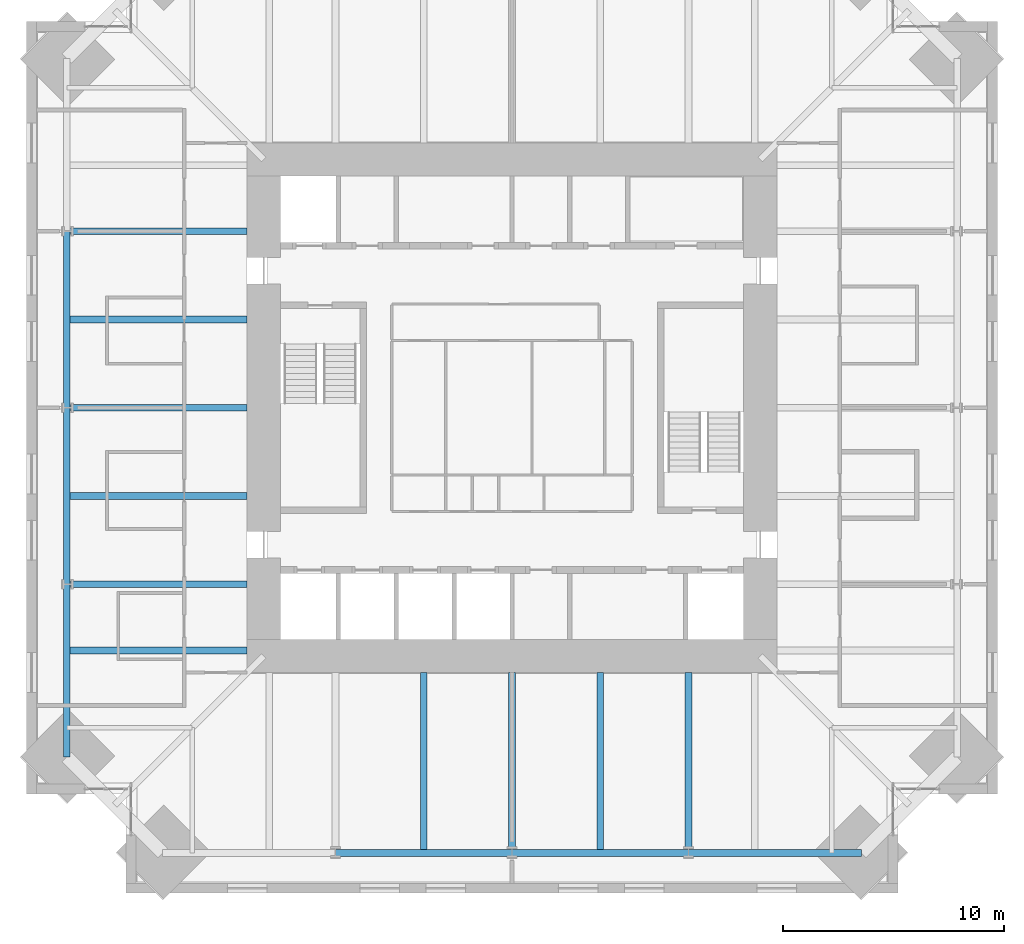
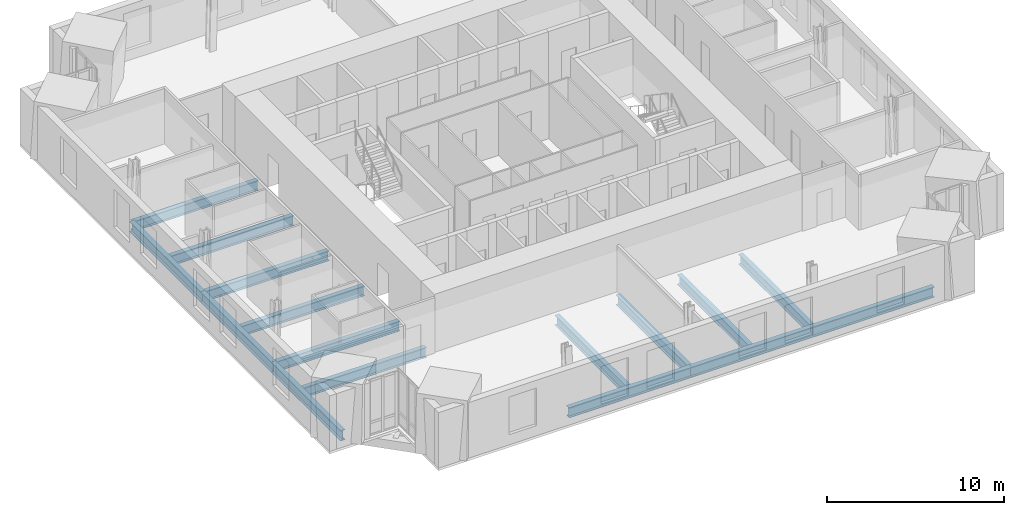
# One storey, part 3 of 16: 16 beams.
"""IFC4 building model written with IfcOpenShell, lengths in metres."""

from ifc_helpers import new_model, si_unit, direction, frame, origin, origin_2d, place, context, subcontext, project, spatial, i_section, extrude, material, material_profile, profile_set, type_object, element, save


model = new_model("IFC4")

# Units and contexts
model_context = context("Model", 3, precision=1e-05, world=origin(), true_north=direction((0.0, 1.0)))
body_context = subcontext(model_context, "Body", "Model", "MODEL_VIEW")
ifc_project = project(units=[si_unit("LENGTHUNIT", "METRE"), si_unit("AREAUNIT", "SQUARE_METRE"), si_unit("VOLUMEUNIT", "CUBIC_METRE"), si_unit("PLANEANGLEUNIT", "RADIAN"), si_unit("MASSUNIT", "GRAM", prefix="KILO")], contexts=[model_context])

# Site, building, storey
site_placement = place(None, origin())
site = spatial("IfcSite", under=ifc_project, at=site_placement, CompositionType="ELEMENT")
building_placement = place(site_placement, origin())
building = spatial("IfcBuilding", under=site, at=building_placement, Name="Peilmerk Tower", CompositionType="ELEMENT")
storey_placement = place(building_placement, frame((0.0, 0.0, 265.800048828125)))
storey = spatial("IfcBuildingStorey", under=building, at=storey_placement, Name="L59", CompositionType="ELEMENT", Elevation=265.800048828125)

# Beams
ifc_material = material(Name="Steel S355", Category="steel")
ifc_material_profile_1 = material_profile(ifc_material, i_section(OverallWidth=0.300048828125, OverallDepth=0.68994140625, WebThickness=0.014404296875, FlangeThickness=0.027099609375, at=origin_2d()), Name="HEA 700")
ifc_profile_set_1 = profile_set([ifc_material_profile_1], Name="Steel S355")
beam_type_1 = type_object("IfcBeamType", Name="B16 HEA 700 floor beam", PredefinedType="BEAM", material=ifc_profile_set_1)
for number, where, z_axis, x_axis, name in (
    (1, (-4.0, -12.0, -0.51513671875), (0.0, -1.0, 0.0), (1.0, 0.0, 0.0), "Floor beam L59"),
    (2, (0.0, -12.0, -0.51513671875), (0.0, -1.0, 0.0), (1.0, 0.0, 0.0), "Floor beam L59"),
    (3, (4.0, -12.0, -0.51513671875), (0.0, -1.0, 0.0), (1.0, 0.0, 0.0), "Floor beam L59"),
    (4, (8.0, -12.0, -0.51513671875), (0.0, -1.0, 0.0), (1.0, 0.0, 0.0), "Floor beam L59"),
    (5, (-12.0, 8.0, -0.51513671875), (-1.0, 0.0, 0.0), (0.0, -1.0, 0.0), "Floor beam L59"),
    (6, (-12.0, 4.0, -0.51513671875), (-1.0, 0.0, 0.0), (0.0, -1.0, 0.0), "Floor beam L59"),
    (7, (-12.0, 0.0, -0.51513671875), (-1.0, 0.0, 0.0), (0.0, -1.0, 0.0), "Floor beam L59"),
    (8, (-12.0, -4.0, -0.51513671875), (-1.0, 0.0, 0.0), (0.0, -1.0, 0.0), "Floor beam L59"),
    (9, (-12.0, -8.0, -0.51513671875), (-1.0, 0.0, 0.0), (0.0, -1.0, 0.0), "Floor beam L59"),
    (10, (-12.0, -11.0, -0.51513671875), (-1.0, 0.0, 0.0), (0.0, -1.0, 0.0), "Floor beam L59"),
):
    element("IfcBeam", number, at=place(storey_placement, frame(where, z_axis=z_axis, x_axis=x_axis)), inside=storey, type_object=beam_type_1, Name=name, PredefinedType="BEAM", context=body_context, shape_type="SweptSolid", body=[
        extrude(i_section(OverallWidth=0.300048828125, OverallDepth=0.68994140625, WebThickness=0.014404296875, FlangeThickness=0.027099609375, at=origin_2d()), origin(), (0.0, 0.0, 1.0), 8.178955078125),
    ])
ifc_material_profile_2 = material_profile(ifc_material, i_section(OverallWidth=0.303955078125, OverallDepth=0.716064453125, WebThickness=0.02099609375, FlangeThickness=0.0400390625, at=origin_2d()), Name="HEM 700")
ifc_profile_set_2 = profile_set([ifc_material_profile_2], Name="Steel S355")
beam_type_2 = type_object("IfcBeamType", Name="B30 HEM 700 edge beam", PredefinedType="SPANDREL", material=ifc_profile_set_2)
for number, where, z_axis, x_axis, name in (
    (11, (-8.0, -20.178955078125, -0.528076171875), (1.0, 0.0, 0.0), (0.0, 1.0, 0.0), "Edge beam L59"),
    (12, (0.0, -20.178955078125, -0.528076171875), (1.0, 0.0, 0.0), (0.0, 1.0, 0.0), "Edge beam L59"),
):
    element("IfcBeam", number, at=place(storey_placement, frame(where, z_axis=z_axis, x_axis=x_axis)), inside=storey, type_object=beam_type_2, Name=name, PredefinedType="SPANDREL", context=body_context, shape_type="SweptSolid", body=[
        extrude(i_section(OverallWidth=0.303955078125, OverallDepth=0.716064453125, WebThickness=0.02099609375, FlangeThickness=0.0400390625, at=origin_2d()), origin(), (0.0, 0.0, 1.0), 8.0),
    ])
beam_1_placement = place(storey_placement, frame((8.0, -20.178955078125, -0.528076171875), z_axis=(1.0, 0.0, 0.0), x_axis=(0.0, 1.0, 0.0)))
element("IfcBeam", 13, at=beam_1_placement, inside=storey, type_object=beam_type_2, Name="Edge beam L59", PredefinedType="SPANDREL", context=body_context, shape_type="SweptSolid", body=[
    extrude(i_section(OverallWidth=0.303955078125, OverallDepth=0.716064453125, WebThickness=0.02099609375, FlangeThickness=0.0400390625, at=origin_2d()), origin(), (0.0, 0.0, 1.0), 7.8291015625),
])
for number, where, z_axis, x_axis, name in (
    (14, (-20.178955078125, 8.0, -0.528076171875), (0.0, -1.0, 0.0), (1.0, 0.0, 0.0), "Edge beam L59"),
    (15, (-20.178955078125, 0.0, -0.528076171875), (0.0, -1.0, 0.0), (1.0, 0.0, 0.0), "Edge beam L59"),
):
    element("IfcBeam", number, at=place(storey_placement, frame(where, z_axis=z_axis, x_axis=x_axis)), inside=storey, type_object=beam_type_2, Name=name, PredefinedType="SPANDREL", context=body_context, shape_type="SweptSolid", body=[
        extrude(i_section(OverallWidth=0.303955078125, OverallDepth=0.716064453125, WebThickness=0.02099609375, FlangeThickness=0.0400390625, at=origin_2d()), origin(), (0.0, 0.0, 1.0), 8.0),
    ])
beam_2_placement = place(storey_placement, frame((-20.178955078125, -8.0, -0.528076171875), z_axis=(0.0, -1.0, 0.0), x_axis=(1.0, 0.0, 0.0)))
element("IfcBeam", 16, at=beam_2_placement, inside=storey, type_object=beam_type_2, Name="Edge beam L59", PredefinedType="SPANDREL", context=body_context, shape_type="SweptSolid", body=[
    extrude(i_section(OverallWidth=0.303955078125, OverallDepth=0.716064453125, WebThickness=0.02099609375, FlangeThickness=0.0400390625, at=origin_2d()), origin(), (0.0, 0.0, 1.0), 7.8291015625),
])

save(model, "model.ifc")
